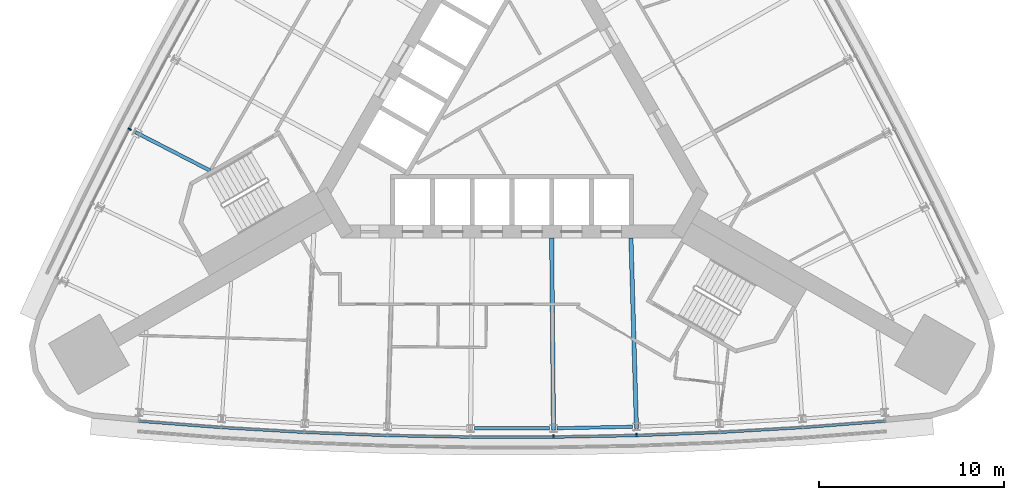
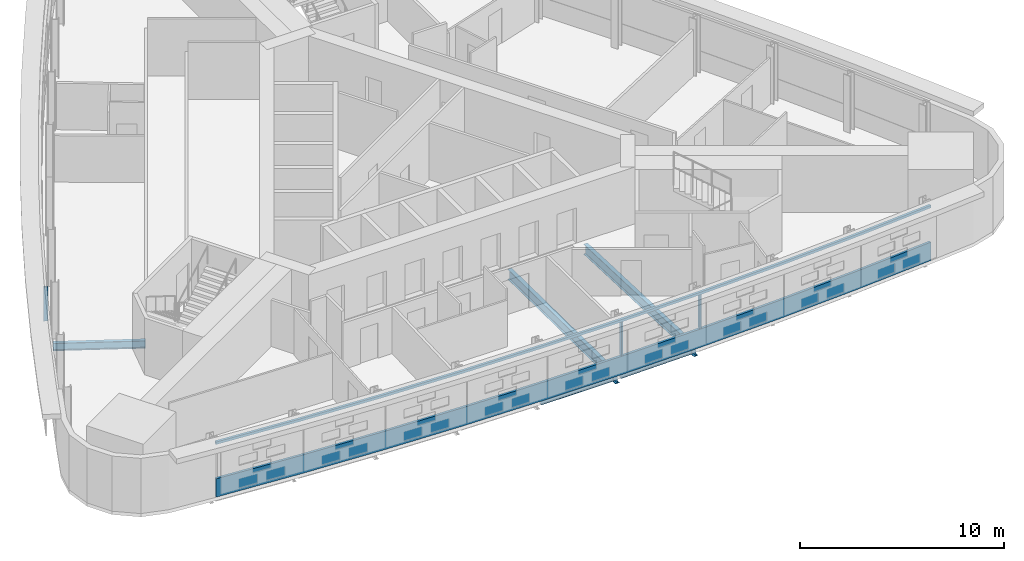
# One storey, part 3 of 14: 5 beams, 5 members, 2 elements without a shape of their own.
"""IFC4 building model written with IfcOpenShell, lengths in metres."""

import ifcopenshell
import ifcopenshell.guid

model = None  # the IFC model being written
_history = None  # IfcOwnerHistory: only IFC2X3 demands one
_inside = {}  # id of a spatial element -> (the spatial element, [elements in it])
_under = {}  # id of a project, library or spatial element -> (it, [spatial elements below it])
_declared = {}  # id of a project -> (the project, [libraries it declares])
_typed = {}  # id of a type object -> (the type object, [elements of that type])
_made_of = {}  # id of a material, layer set ... -> (it, [elements and type objects made of it])


def new_model(schema):
    """Start an empty IFC model of exactly this schema.

    Asked for "IFC4X3", IfcOpenShell would pick the latest addendum, in which some entities
    have other attributes; the version numbers below select the first issue.
    IFC2X3 requires an IfcOwnerHistory on every rooted entity: one is made here for all.
    """
    global model, _history
    if schema == "IFC4X3":
        model = ifcopenshell.file(schema_version=(4, 3, 0, 0))
    else:
        model = ifcopenshell.file(schema=schema)
    _inside.clear()
    _under.clear()
    _declared.clear()
    _typed.clear()
    _made_of.clear()
    _history = None
    if model.schema == "IFC2X3":
        org = make("IfcOrganization", Name="unknown")
        user = make(
            "IfcPersonAndOrganization",
            ThePerson=make("IfcPerson", FamilyName="unknown"),
            TheOrganization=org,
        )
        app = make(
            "IfcApplication",
            ApplicationDeveloper=org,
            Version="unknown",
            ApplicationFullName="unknown",
            ApplicationIdentifier="unknown",
        )
        _history = make(
            "IfcOwnerHistory",
            OwningUser=user,
            OwningApplication=app,
            ChangeAction="ADDED",
            CreationDate=0,
        )
    return model


def make(cls, **values):
    """One entity of the class cls with the attributes given. An attribute that is None is left unset."""
    return model.create_entity(
        cls, **{name: value for name, value in values.items() if value is not None}
    )


def rooted(cls, **values):
    """An entity with a GlobalId (a new one), such as an element, a storey or a relation."""
    return make(cls, GlobalId=ifcopenshell.guid.new(), OwnerHistory=_history, **values)


def si_unit(unit_type, name, prefix=None):
    """IfcSIUnit, for example si_unit("LENGTHUNIT", "METRE", prefix="MILLI")."""
    return make("IfcSIUnit", UnitType=unit_type, Prefix=prefix, Name=name)


def assignment(units):
    """IfcUnitAssignment: the units of a project."""
    return None if units is None else make("IfcUnitAssignment", Units=units)


def point(xyz):
    """IfcCartesianPoint."""
    return None if xyz is None else make("IfcCartesianPoint", Coordinates=xyz)


def direction(xyz):
    """IfcDirection."""
    return None if xyz is None else make("IfcDirection", DirectionRatios=xyz)


def frame(location, z_axis=None, x_axis=None):
    """IfcAxis2Placement3D, a coordinate frame: its origin and axes. An axis left out is left unset."""
    return make(
        "IfcAxis2Placement3D",
        Location=point(location),
        Axis=direction(z_axis),
        RefDirection=direction(x_axis),
    )


def frame_2d(location, x_axis=None):
    """IfcAxis2Placement2D, a coordinate frame in the plane: its origin and x axis."""
    return make(
        "IfcAxis2Placement2D", Location=point(location), RefDirection=direction(x_axis)
    )


def origin():
    """The frame at (0, 0, 0) with its axes left unset."""
    return frame((0.0, 0.0, 0.0))


def origin_2d():
    """The frame at (0, 0) in the plane with its x axis left unset."""
    return frame_2d((0.0, 0.0))


def place(relative_to, where):
    """IfcLocalPlacement: puts the frame where relative to a parent placement (None: the world)."""
    return make(
        "IfcLocalPlacement", PlacementRelTo=relative_to, RelativePlacement=where
    )


def context(
    kind, dimensions, precision=None, world=None, true_north=None, identifier=None
):
    """IfcGeometricRepresentationContext, for example the 3D "Model" context."""
    return make(
        "IfcGeometricRepresentationContext",
        ContextIdentifier=identifier,
        ContextType=kind,
        CoordinateSpaceDimension=dimensions,
        Precision=precision,
        WorldCoordinateSystem=world,
        TrueNorth=true_north,
    )


def subcontext(parent, identifier, kind, view, scale=None):
    """IfcGeometricRepresentationSubContext, for example "Body" below "Model"."""
    return make(
        "IfcGeometricRepresentationSubContext",
        ContextIdentifier=identifier,
        ContextType=kind,
        ParentContext=parent,
        TargetScale=scale,
        TargetView=view,
    )


def project(units=None, contexts=None):
    """IfcProject with its units and contexts."""
    return rooted(
        "IfcProject",
        Name="project",
        RepresentationContexts=contexts,
        UnitsInContext=assignment(units),
    )


def spatial(cls, under=None, at=None, **own):
    """A site, building, storey or space (cls), placed at a placement, below another one or the project."""
    s = rooted(cls, ObjectPlacement=at, **own)
    if under is not None:
        _under.setdefault(under.id(), (under, []))[1].append(s)
    return s


def polyline(points):
    """IfcPolyline through the points."""
    return make("IfcPolyline", Points=[point(p) for p in points])


def profile(cls, at=None, kind="AREA", **sizes):
    """A parametric profile (cls). Its sizes go by their IFC names, for example OverallWidth=200.0."""
    return make(cls, ProfileType=kind, Position=at, **sizes)


def rectangle(**sizes):
    """IfcRectangleProfileDef."""
    return profile("IfcRectangleProfileDef", **sizes)


def i_section(**sizes):
    """IfcIShapeProfileDef."""
    return profile("IfcIShapeProfileDef", **sizes)


def outline(outer, holes=None, kind="AREA"):
    """IfcArbitraryClosedProfileDef: a profile drawn as a closed curve; with holes, ...WithVoids."""
    if holes is None:
        return make("IfcArbitraryClosedProfileDef", ProfileType=kind, OuterCurve=outer)
    return make(
        "IfcArbitraryProfileDefWithVoids",
        ProfileType=kind,
        OuterCurve=outer,
        InnerCurves=holes,
    )


def extrude(swept, where, along, depth):
    """IfcExtrudedAreaSolid: the profile swept, set in the frame where, extruded along a direction by depth."""
    return make(
        "IfcExtrudedAreaSolid",
        SweptArea=swept,
        Position=where,
        ExtrudedDirection=direction(along),
        Depth=depth,
    )


def shape(context_of_items, identifier, shape_type, items):
    """IfcShapeRepresentation: the items that make up one representation, for example the "Body"."""
    return make(
        "IfcShapeRepresentation",
        ContextOfItems=context_of_items,
        RepresentationIdentifier=identifier,
        RepresentationType=shape_type,
        Items=items,
    )


def material(Name=None, Category=None):
    """IfcMaterial."""
    return make("IfcMaterial", Name=Name, Category=Category)


def material_profile(
    of_material, cross_section, Name=None, Category=None, Priority=None
):
    """IfcMaterialProfile: a cross section and its material."""
    return make(
        "IfcMaterialProfile",
        Name=Name,
        Material=of_material,
        Profile=cross_section,
        Priority=Priority,
        Category=Category,
    )


def profile_set(profiles, Name=None, composite=None):
    """IfcMaterialProfileSet."""
    return make(
        "IfcMaterialProfileSet",
        Name=Name,
        MaterialProfiles=profiles,
        CompositeProfile=composite,
    )


def made_of(thing, what):
    """Note that an element or type object is made of a material, layer set ...; save() writes the relation."""
    if what is not None:
        _made_of.setdefault(what.id(), (what, []))[1].append(thing)
    return thing


def type_object(cls, material=None, **own):
    """A type object (cls), such as IfcWallType, which elements share."""
    return made_of(rooted(cls, **own), material)


def element(
    cls,
    number,
    at=None,
    inside=None,
    cuts=None,
    type_object=None,
    material=None,
    context=None,
    identifier="Body",
    shape_type=None,
    held_by="IfcProductDefinitionShape",
    body=None,
    shapes=None,
    **own,
):
    """One element of the class cls, such as IfcWall. Its Tag is "e" and its number.

    at: its placement. inside: the storey or other place that contains it. cuts: it is an
    opening in that element (IfcRelVoidsElement). A single representation is given by context,
    identifier, shape_type and body (its items); several are given by shapes. held_by: the class
    of the entity that holds the representations. save() writes the other relations.
    """
    e = rooted(cls, Tag="e%d" % number, ObjectPlacement=at, **own)
    if body is not None:
        shapes = [shape(context, identifier, shape_type, body)]
    if shapes is not None:
        e.Representation = make(held_by, Representations=shapes)
    if inside is not None:
        _inside.setdefault(inside.id(), (inside, []))[1].append(e)
    if cuts is not None:
        rooted(
            "IfcRelVoidsElement", RelatingBuildingElement=cuts, RelatedOpeningElement=e
        )
    if type_object is not None:
        _typed.setdefault(type_object.id(), (type_object, []))[1].append(e)
    return made_of(e, material)


def aggregate(whole, parts):
    """IfcRelAggregates: a whole, such as a stair, and the parts it consists of."""
    return rooted("IfcRelAggregates", RelatingObject=whole, RelatedObjects=parts)


def save(model, path):
    """Write the relations noted so far, then the file.

    IfcRelAggregates (storeys below a building ...), IfcRelContainedInSpatialStructure (elements
    in a storey), IfcRelDefinesByType, IfcRelAssociatesMaterial and IfcRelDeclares: one each for
    every whole, place, type object, material and project.
    """
    for whole, parts in _under.values():
        aggregate(whole, parts)
    for where, things in _inside.values():
        rooted(
            "IfcRelContainedInSpatialStructure",
            RelatedElements=things,
            RelatingStructure=where,
        )
    for kind, things in _typed.values():
        rooted("IfcRelDefinesByType", RelatedObjects=things, RelatingType=kind)
    for what, things in _made_of.values():
        rooted("IfcRelAssociatesMaterial", RelatedObjects=things, RelatingMaterial=what)
    for by, libraries in _declared.values():
        rooted("IfcRelDeclares", RelatingContext=by, RelatedDefinitions=libraries)
    model.write(path)


model = new_model("IFC4")

# Units and contexts
model_context = context("Model", 3, precision=1e-05, world=origin(), true_north=direction((0.0, 1.0)))
body_context = subcontext(model_context, "Body", "Model", "MODEL_VIEW")
ifc_project = project(units=[si_unit("LENGTHUNIT", "METRE"), si_unit("AREAUNIT", "SQUARE_METRE"), si_unit("VOLUMEUNIT", "CUBIC_METRE"), si_unit("PLANEANGLEUNIT", "RADIAN"), si_unit("MASSUNIT", "GRAM", prefix="KILO")], contexts=[model_context])

# Site, building, storey
site_placement = place(None, origin())
site = spatial("IfcSite", under=ifc_project, at=site_placement, CompositionType="ELEMENT")
building_placement = place(site_placement, origin())
building = spatial("IfcBuilding", under=site, at=building_placement, Name="Noor Cloister Tower", CompositionType="ELEMENT")
storey_placement = place(building_placement, frame((0.0, 0.0, 76.199951171875)))
storey = spatial("IfcBuildingStorey", under=building, at=storey_placement, Name="L19", CompositionType="ELEMENT", Elevation=76.199951171875)

# Curtain wall, member
ifc_material_1 = material(Name="Aluminium 6063-T6 anodised", Category="aluminium")
curtain_wall_type = type_object("IfcCurtainWallType", Name="Ribbon curtain wall, lower tower CW1", PredefinedType="NOTDEFINED", material=ifc_material_1)
curtain_wall_1_placement = place(storey_placement, origin())
curtain_wall_1 = element("IfcCurtainWall", 1, at=curtain_wall_1_placement, inside=storey, type_object=curtain_wall_type, Name="CW1 L19 S run 2", PredefinedType="NOTDEFINED")
ifc_material_2 = material(Name="Aluminium 6063-T6 anodised", Category="aluminium")
member_type_1 = type_object("IfcMemberType", Name="Head transom CW1 150", PredefinedType="USERDEFINED", material=ifc_material_2)
member_1_placement = place(storey_placement, frame((0.0, 0.0, 3.150146484375)))
member_1 = element("IfcMember", 2, at=member_1_placement, type_object=member_type_1, Name="CW1 head transom", ObjectType="TRANSOM", PredefinedType="USERDEFINED", context=body_context, shape_type="SweptSolid", body=[
    extrude(outline(polyline([(-20.224609375, -16.900634765625), (-15.738037109375, -17.24755859375), (-11.24560546875, -17.508056640625), (-6.7490234375, -17.681640625), (-2.25, -17.768310546875), (2.25, -17.768310546875), (6.7490234375, -17.681640625), (11.24560546875, -17.508056640625), (15.738037109375, -17.24755859375), (20.224609375, -16.900634765625), (20.2138671875, -16.76123046875), (15.728515625, -17.10791015625), (11.23876953125, -17.3681640625), (6.7451171875, -17.54150390625), (2.24853515625, -17.62841796875), (-2.24853515625, -17.62841796875), (-6.7451171875, -17.54150390625), (-11.23876953125, -17.3681640625), (-15.728515625, -17.10791015625), (-20.2138671875, -16.76123046875), (-20.224609375, -16.900634765625)])), origin(), (0.0, 0.0, 1.0), 0.14990234375),
])

curtain_wall_2_placement = place(storey_placement, origin())
curtain_wall_2 = element("IfcCurtainWall", 3, at=curtain_wall_2_placement, inside=storey, type_object=curtain_wall_type, Name="CW1 L19 NW run 1", PredefinedType="NOTDEFINED")
ifc_material_3 = material(Name="Aluminium 6063-T6 anodised", Category="aluminium")
ifc_material_profile_1 = material_profile(ifc_material_3, rectangle(XDim=0.199951171875, YDim=0.080078125, at=origin_2d()), Name="200 x 80 mullion")
ifc_profile_set_1 = profile_set([ifc_material_profile_1], Name="Aluminium 6063-T6 anodised")
member_type_2 = type_object("IfcMemberType", Name="Mullion CW1 80 x 200", PredefinedType="MULLION", material=ifc_profile_set_1)
member_2_placement = place(storey_placement, frame((-20.6962890625, -1.03076171875, 1.10009765625), z_axis=(0.0, 0.0, 1.0), x_axis=(0.889124353798, -0.45766568965, 0.0)))
member_2 = element("IfcMember", 4, at=member_2_placement, type_object=member_type_2, Name="CW1 mullion 8", PredefinedType="MULLION", context=body_context, shape_type="SweptSolid", body=[
    extrude(rectangle(XDim=0.199951171875, YDim=0.080078125, at=origin_2d()), origin(), (0.0, 0.0, 1.0), 2.050048828125),
])
aggregate(curtain_wall_2, [member_2])

# Member
member_3_placement = place(storey_placement, frame((2.2490234375, -17.668212890625, 1.10009765625), z_axis=(0.0, 0.0, 1.0), x_axis=(-0.009646005931, 0.999953476203, 0.0)))
member_3 = element("IfcMember", 5, at=member_3_placement, type_object=member_type_2, Name="CW1 mullion 6", PredefinedType="MULLION", context=body_context, shape_type="SweptSolid", body=[
    extrude(rectangle(XDim=0.199951171875, YDim=0.080078125, at=origin_2d()), origin(), (0.0, 0.0, 1.0), 2.050048828125),
])

member_4_placement = place(storey_placement, frame((6.74609375, -17.58154296875, 1.10009765625), z_axis=(0.0, 0.0, 1.0), x_axis=(-0.028934410279, 0.999581312301, 0.0)))
member_4 = element("IfcMember", 6, at=member_4_placement, type_object=member_type_2, Name="CW1 mullion 7", PredefinedType="MULLION", context=body_context, shape_type="SweptSolid", body=[
    extrude(rectangle(XDim=0.199951171875, YDim=0.080078125, at=origin_2d()), origin(), (0.0, 0.0, 1.0), 2.050048828125),
])

# Beams
ifc_material_4 = material(Name="Steel ASTM A992 Gr 50", Category="steel")
ifc_material_profile_2 = material_profile(ifc_material_4, i_section(OverallWidth=0.19091796875, OverallDepth=0.45703125, WebThickness=0.009033203125, FlangeThickness=0.014404296875, FilletRadius=0.01025390625, at=origin_2d()), Name="W460x74")
ifc_profile_set_2 = profile_set([ifc_material_profile_2], Name="Steel ASTM A992 Gr 50")
beam_type_1 = type_object("IfcBeamType", Name="Radial beam W460x74", PredefinedType="BEAM", material=ifc_profile_set_2)
beam_1_placement = place(storey_placement, frame((-20.38232421875, -1.1923828125, -0.428466796875), z_axis=(0.8891242411, -0.457665908592, 0.0), x_axis=(0.457665908592, 0.8891242411, 0.0)))
element("IfcBeam", 7, at=beam_1_placement, inside=storey, type_object=beam_type_1, Name="Radial beam NW 08 L19", PredefinedType="BEAM", context=body_context, shape_type="SweptSolid", body=[
    extrude(i_section(OverallWidth=0.19091796875, OverallDepth=0.45703125, WebThickness=0.009033203125, FlangeThickness=0.014404296875, FilletRadius=0.01025390625, at=origin_2d()), origin(), (0.0, 0.0, 1.0), 4.546142578125),
])
ifc_material_5 = material(Name="Steel ASTM A992 Gr 50", Category="steel")
ifc_material_profile_3 = material_profile(ifc_material_5, i_section(OverallWidth=0.22802734375, OverallDepth=0.60205078125, WebThickness=0.010498046875, FlangeThickness=0.014892578125, FilletRadius=0.0126953125, at=origin_2d()), Name="W610x101")
ifc_profile_set_3 = profile_set([ifc_material_profile_3], Name="Steel ASTM A992 Gr 50")
beam_type_2 = type_object("IfcBeamType", Name="Radial beam W610x101", PredefinedType="BEAM", material=ifc_profile_set_3)
beam_2_placement = place(storey_placement, frame((2.24560546875, -17.3154296875, -0.5009765625), z_axis=(-0.009636181171, 0.999953570928, 0.0), x_axis=(-0.999953570928, -0.009636181171, 0.0)))
element("IfcBeam", 8, at=beam_2_placement, inside=storey, type_object=beam_type_2, Name="Radial beam S 06 L19", PredefinedType="BEAM", context=body_context, shape_type="SweptSolid", body=[
    extrude(i_section(OverallWidth=0.22802734375, OverallDepth=0.60205078125, WebThickness=0.010498046875, FlangeThickness=0.014892578125, FilletRadius=0.0126953125, at=origin_2d()), origin(), (0.0, 0.0, 1.0), 10.3876953125),
])
beam_3_placement = place(storey_placement, frame((6.73583984375, -17.228759765625, -0.5009765625), z_axis=(-0.028927710154, 0.999581506224, 0.0), x_axis=(-0.999581506224, -0.028927710154, 0.0)))
element("IfcBeam", 9, at=beam_3_placement, inside=storey, type_object=beam_type_2, Name="Radial beam S 07 L19", PredefinedType="BEAM", context=body_context, shape_type="SweptSolid", body=[
    extrude(i_section(OverallWidth=0.22802734375, OverallDepth=0.60205078125, WebThickness=0.010498046875, FlangeThickness=0.014892578125, FilletRadius=0.0126953125, at=origin_2d()), origin(), (0.0, 0.0, 1.0), 10.304931640625),
])

# Member
ifc_material_6 = material(Name="Aluminium 6063-T6 anodised", Category="aluminium")
member_type_3 = type_object("IfcMemberType", Name="Sill transom CW1 1100", PredefinedType="USERDEFINED", material=ifc_material_6)
member_5_placement = place(storey_placement, origin())
member_5 = element("IfcMember", 10, at=member_5_placement, type_object=member_type_3, Name="CW1 sill transom", ObjectType="TRANSOM", PredefinedType="USERDEFINED", context=body_context, shape_type="SweptSolid", body=[
    extrude(outline(polyline([(-20.224609375, -16.900634765625), (-15.738037109375, -17.24755859375), (-11.24560546875, -17.508056640625), (-6.7490234375, -17.681640625), (-2.25, -17.768310546875), (2.25, -17.768310546875), (6.7490234375, -17.681640625), (11.24560546875, -17.508056640625), (15.738037109375, -17.24755859375), (20.224609375, -16.900634765625), (20.2138671875, -16.76123046875), (15.728515625, -17.10791015625), (11.23876953125, -17.3681640625), (6.7451171875, -17.54150390625), (2.24853515625, -17.62841796875), (-2.24853515625, -17.62841796875), (-6.7451171875, -17.54150390625), (-11.23876953125, -17.3681640625), (-15.728515625, -17.10791015625), (-20.2138671875, -16.76123046875), (-20.224609375, -16.900634765625)])), origin(), (0.0, 0.0, 1.0), 1.10009765625),
])

aggregate(curtain_wall_1, [member_3, member_4, member_5, member_1])

# Beams
ifc_material_7 = material(Name="Steel ASTM A992 Gr 50", Category="steel")
ifc_material_profile_4 = material_profile(ifc_material_7, i_section(OverallWidth=0.177978515625, OverallDepth=0.406005859375, WebThickness=0.0078125, FlangeThickness=0.0126953125, FilletRadius=0.01025390625, at=origin_2d()), Name="W410x60")
ifc_profile_set_4 = profile_set([ifc_material_profile_4], Name="Steel ASTM A992 Gr 50")
beam_type_3 = type_object("IfcBeamType", Name="Spandrel beam W410x60", PredefinedType="SPANDREL", material=ifc_profile_set_4)
for number, where, z_axis, x_axis, name in (
    (11, (-2.042724609375, -17.21826171875, -0.40283203125), (1.0, 0.0, 0.0), (0.0, 1.0, 0.0), "Spandrel beam S 05 L19"),
    (12, (2.446533203125, -17.21435546875, -0.40283203125), (0.999814852725, 0.019242148262, 0.0), (-0.019242148262, 0.999814852725, 0.0), "Spandrel beam S 06 L19"),
):
    element("IfcBeam", number, at=place(storey_placement, frame(where, z_axis=z_axis, x_axis=x_axis)), inside=storey, type_object=beam_type_3, Name=name, PredefinedType="SPANDREL", context=body_context, shape_type="SweptSolid", body=[
        extrude(i_section(OverallWidth=0.177978515625, OverallDepth=0.406005859375, WebThickness=0.0078125, FlangeThickness=0.0126953125, FilletRadius=0.01025390625, at=origin_2d()), origin(), (0.0, 0.0, 1.0), 4.08544921875),
    ])

save(model, "model.ifc")
